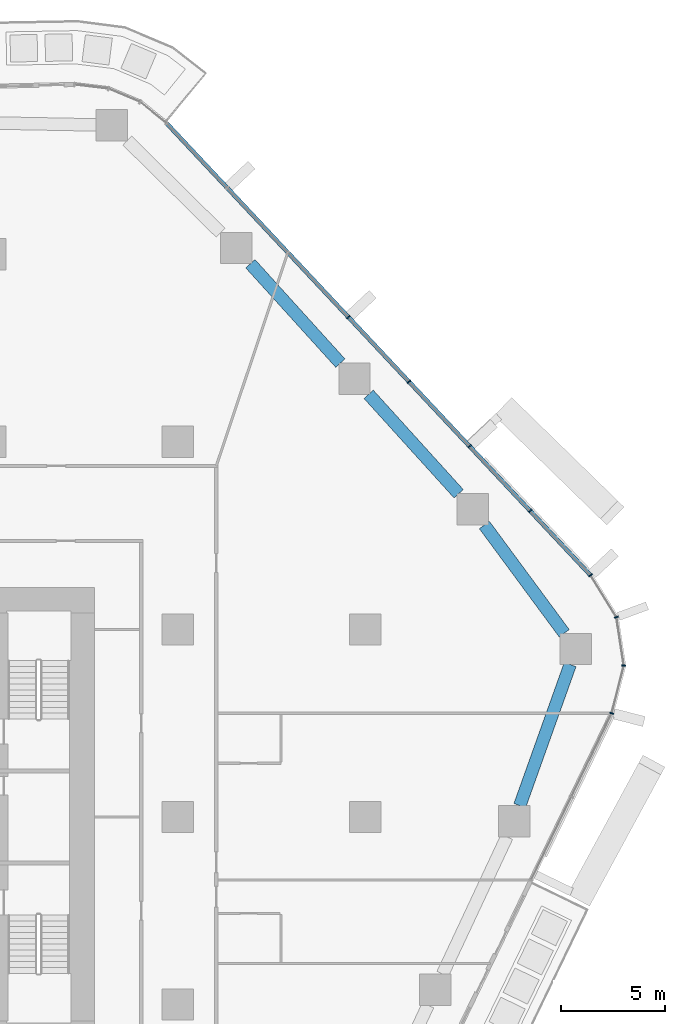
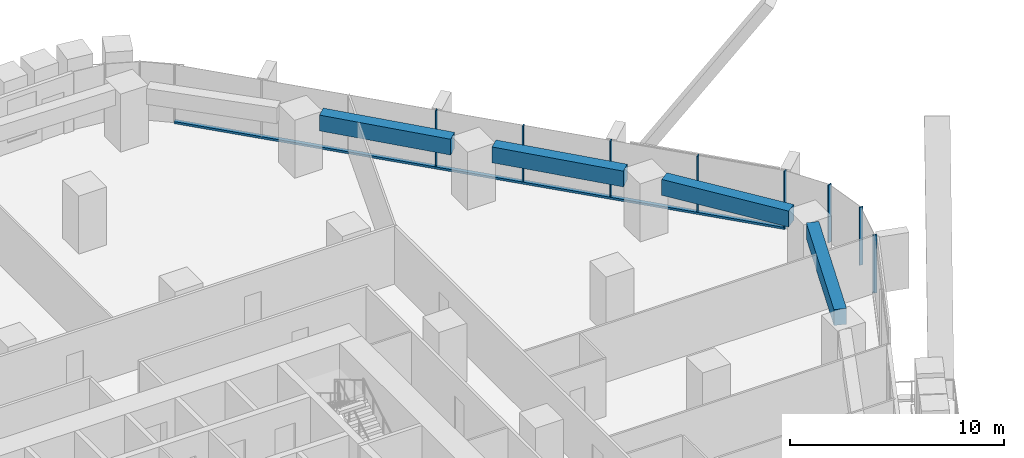
# One storey, part 7 of 24: 9 members, 4 beams, 2 elements without a shape of their own.
"""IFC4 building model written with IfcOpenShell, lengths in metres."""

from ifc_helpers import new_model, si_unit, direction, frame, origin, origin_2d, place, context, subcontext, project, spatial, rectangle, extrude, material, layer, layer_set, material_profile, profile_set, type_object, element, aggregate, save


model = new_model("IFC4")

# Units and contexts
model_context = context("Model", 3, precision=1e-05, world=origin(), true_north=direction((0.0, 1.0)))
body_context = subcontext(model_context, "Body", "Model", "MODEL_VIEW")
ifc_project = project(units=[si_unit("LENGTHUNIT", "METRE"), si_unit("AREAUNIT", "SQUARE_METRE"), si_unit("VOLUMEUNIT", "CUBIC_METRE"), si_unit("PLANEANGLEUNIT", "RADIAN"), si_unit("MASSUNIT", "GRAM", prefix="KILO")], contexts=[model_context])

# Site, building, storey
site_placement = place(None, origin())
site = spatial("IfcSite", under=ifc_project, at=site_placement, CompositionType="ELEMENT")
building_placement = place(site_placement, origin())
building = spatial("IfcBuilding", under=site, at=building_placement, Name="Dongbaek Canopy Tower", CompositionType="ELEMENT")
storey_placement = place(building_placement, frame((0.0, 0.0, 51.39990234375)))
storey = spatial("IfcBuildingStorey", under=building, at=storey_placement, Name="L08", CompositionType="ELEMENT", Elevation=51.39990234375)

# Curtain wall, members
ifc_material_1 = material(Name="Aluminium 6063-T6 pale anodised", Category="aluminium")
ifc_layer = layer(ifc_material_1, 0.199951171875)
ifc_layer_set = layer_set([ifc_layer], Name="CW-1 unitised tower curtain wall")
curtain_wall_type = type_object("IfcCurtainWallType", Name="CW-1 unitised tower curtain wall", PredefinedType="NOTDEFINED", material=ifc_layer_set)
curtain_wall_1_placement = place(storey_placement, origin())
curtain_wall_1 = element("IfcCurtainWall", 1, at=curtain_wall_1_placement, inside=storey, type_object=curtain_wall_type, Name="CW-1 curtain wall K0.1", PredefinedType="NOTDEFINED")
ifc_material_2 = material(Name="Aluminium 6063-T6 pale anodised", Category="aluminium")
ifc_material_profile_1 = material_profile(ifc_material_2, rectangle(XDim=0.199951171875, YDim=0.06005859375, at=origin_2d()), Name="CW-1 mullion 60 x 200")
ifc_profile_set_1 = profile_set([ifc_material_profile_1], Name="Aluminium 6063-T6 pale anodised")
member_type_1 = type_object("IfcMemberType", Name="CW-1 mullion 60 x 200", PredefinedType="MULLION", material=ifc_profile_set_1)
member_1_placement = place(storey_placement, frame((38.8212890625, 4.977294921875, 0.0), z_axis=(0.0, 0.0, 1.0), x_axis=(0.968988452796, -0.247106006298, 0.0)))
member_1 = element("IfcMember", 2, at=member_1_placement, type_object=member_type_1, Name="CW-1 mullion K0.1.1", PredefinedType="MULLION", context=body_context, shape_type="SweptSolid", body=[
    extrude(rectangle(XDim=0.199951171875, YDim=0.06005859375, at=origin_2d()), origin(), (0.0, 0.0, 1.0), 3.300048828125),
])
member_2_placement = place(storey_placement, frame((39.40478515625, 7.264892578125, 0.0), z_axis=(0.0, 0.0, 1.0), x_axis=(0.998796081785, -0.049054938691, 0.0)))
member_2 = element("IfcMember", 3, at=member_2_placement, type_object=member_type_1, Name="CW-1 mullion K0.1.2", PredefinedType="MULLION", context=body_context, shape_type="SweptSolid", body=[
    extrude(rectangle(XDim=0.199951171875, YDim=0.06005859375, at=origin_2d()), origin(), (0.0, 0.0, 1.0), 3.300048828125),
])
member_3_placement = place(storey_placement, frame((39.050048828125, 9.588623046875, 0.0), z_axis=(0.0, 0.0, 1.0), x_axis=(0.938629484797, 0.344927079641, 0.0)))
member_3 = element("IfcMember", 4, at=member_3_placement, type_object=member_type_1, Name="CW-1 mullion K0.1.3", PredefinedType="MULLION", context=body_context, shape_type="SweptSolid", body=[
    extrude(rectangle(XDim=0.199951171875, YDim=0.06005859375, at=origin_2d()), origin(), (0.0, 0.0, 1.0), 3.300048828125),
])
member_4_placement = place(storey_placement, frame((37.810302734375, 11.597900390625, 0.0), z_axis=(0.0, 0.0, 1.0), x_axis=(0.851068704679, 0.525054339964, 0.0)))
member_4 = element("IfcMember", 5, at=member_4_placement, type_object=member_type_1, Name="CW-1 mullion K0.1.4", PredefinedType="MULLION", context=body_context, shape_type="SweptSolid", body=[
    extrude(rectangle(XDim=0.199951171875, YDim=0.06005859375, at=origin_2d()), origin(), (0.0, 0.0, 1.0), 3.300048828125),
])
aggregate(curtain_wall_1, [member_1, member_2, member_3, member_4])

curtain_wall_2_placement = place(storey_placement, origin())
curtain_wall_2 = element("IfcCurtainWall", 6, at=curtain_wall_2_placement, inside=storey, type_object=curtain_wall_type, Name="CW-1 curtain wall F0.1", PredefinedType="NOTDEFINED")
member_5_placement = place(storey_placement, frame((34.910400390625, 14.689453125, 0.1201171875), z_axis=(0.0, 0.0, 1.0), x_axis=(0.729369243815, 0.684120242484, 0.0)))
member_5 = element("IfcMember", 7, at=member_5_placement, type_object=member_type_1, Name="CW-1 mullion F0.1.2", PredefinedType="MULLION", context=body_context, shape_type="SweptSolid", body=[
    extrude(rectangle(XDim=0.199951171875, YDim=0.06005859375, at=origin_2d()), origin(), (0.0, 0.0, 1.0), 3.179931640625),
])
member_6_placement = place(storey_placement, frame((32.003662109375, 17.78857421875, 0.1201171875), z_axis=(0.0, 0.0, 1.0), x_axis=(0.729369243815, 0.684120242484, 0.0)))
member_6 = element("IfcMember", 8, at=member_6_placement, type_object=member_type_1, Name="CW-1 mullion F0.1.3", PredefinedType="MULLION", context=body_context, shape_type="SweptSolid", body=[
    extrude(rectangle(XDim=0.199951171875, YDim=0.06005859375, at=origin_2d()), origin(), (0.0, 0.0, 1.0), 3.179931640625),
])
member_7_placement = place(storey_placement, frame((29.096923828125, 20.8876953125, 0.1201171875), z_axis=(0.0, 0.0, 1.0), x_axis=(0.729369243815, 0.684120242484, 0.0)))
member_7 = element("IfcMember", 9, at=member_7_placement, type_object=member_type_1, Name="CW-1 mullion F0.1.4", PredefinedType="MULLION", context=body_context, shape_type="SweptSolid", body=[
    extrude(rectangle(XDim=0.199951171875, YDim=0.06005859375, at=origin_2d()), origin(), (0.0, 0.0, 1.0), 3.179931640625),
])
member_8_placement = place(storey_placement, frame((26.190185546875, 23.986572265625, 0.1201171875), z_axis=(0.0, 0.0, 1.0), x_axis=(0.729369243815, 0.684120242484, 0.0)))
member_8 = element("IfcMember", 10, at=member_8_placement, type_object=member_type_1, Name="CW-1 mullion F0.1.5", PredefinedType="MULLION", context=body_context, shape_type="SweptSolid", body=[
    extrude(rectangle(XDim=0.199951171875, YDim=0.06005859375, at=origin_2d()), origin(), (0.0, 0.0, 1.0), 3.179931640625),
])
ifc_material_3 = material(Name="Aluminium 6063-T6 pale anodised", Category="aluminium")
ifc_material_profile_2 = material_profile(ifc_material_3, rectangle(XDim=0.199951171875, YDim=0.1201171875, at=origin_2d()), Name="CW-1 transom 120 x 200")
ifc_profile_set_2 = profile_set([ifc_material_profile_2], Name="Aluminium 6063-T6 pale anodised")
member_type_2 = type_object("IfcMemberType", Name="CW-1 transom 120 x 200", PredefinedType="USERDEFINED", material=ifc_profile_set_2)
member_9_placement = place(storey_placement, frame((37.810302734375, 11.597900390625, 0.06005859375), z_axis=(-0.684121423507, 0.72936813606, 0.0), x_axis=(-0.72936813606, -0.684121423507, 0.0)))
member_9 = element("IfcMember", 11, at=member_9_placement, type_object=member_type_2, Name="CW-1 transom F0.1.1", ObjectType="TRANSOM", PredefinedType="USERDEFINED", context=body_context, shape_type="SweptSolid", body=[
    extrude(rectangle(XDim=0.199951171875, YDim=0.1201171875, at=origin_2d()), origin(), (0.0, 0.0, 1.0), 29.725341796875),
])
aggregate(curtain_wall_2, [member_5, member_6, member_7, member_8, member_9])

# Beams
ifc_material_4 = material(Name="Concrete C80", Category="concrete")
ifc_material_profile_3 = material_profile(ifc_material_4, rectangle(XDim=0.60009765625, YDim=0.89990234375, at=origin_2d()), Name="RC EDGE BEAM 600x900 C80")
ifc_profile_set_3 = profile_set([ifc_material_profile_3], Name="Concrete C80")
beam_type = type_object("IfcBeamType", Name="RC EDGE BEAM 600x900 C80", PredefinedType="BEAM", material=ifc_profile_set_3)
beam_1_placement = place(storey_placement, frame((21.484375, 26.547119140625, 2.85009765625), z_axis=(0.671288874095, -0.741195822652, 0.0), x_axis=(0.741195822652, 0.671288874095, 0.0)))
element("IfcBeam", 12, at=beam_1_placement, inside=storey, type_object=beam_type, Name="EDGEBEAM:L08:18", PredefinedType="BEAM", context=body_context, shape_type="SweptSolid", body=[
    extrude(rectangle(XDim=0.60009765625, YDim=0.89990234375, at=origin_2d()), origin(), (0.0, 0.0, 1.0), 6.432861328125),
])
beam_2_placement = place(storey_placement, frame((27.1611328125, 20.279052734375, 2.85009765625), z_axis=(0.671226318279, -0.741252473621, 0.0), x_axis=(0.741252473621, 0.671226318279, 0.0)))
element("IfcBeam", 13, at=beam_2_placement, inside=storey, type_object=beam_type, Name="EDGEBEAM:L08:19", PredefinedType="BEAM", context=body_context, shape_type="SweptSolid", body=[
    extrude(rectangle(XDim=0.60009765625, YDim=0.89990234375, at=origin_2d()), origin(), (0.0, 0.0, 1.0), 6.432373046875),
])
beam_3_placement = place(storey_placement, frame((32.71142578125, 14.010986328125, 2.85009765625), z_axis=(0.593731643304, -0.804663119411, 0.0), x_axis=(0.804663119411, 0.593731643304, 0.0)))
element("IfcBeam", 14, at=beam_3_placement, inside=storey, type_object=beam_type, Name="EDGEBEAM:L08:20", PredefinedType="BEAM", context=body_context, shape_type="SweptSolid", body=[
    extrude(rectangle(XDim=0.60009765625, YDim=0.89990234375, at=origin_2d()), origin(), (0.0, 0.0, 1.0), 6.456298828125),
])
beam_4_placement = place(storey_placement, frame((36.830078125, 7.31591796875, 2.85009765625), z_axis=(-0.336456848831, -0.941698884397, 0.0), x_axis=(0.941698884397, -0.336456848831, 0.0)))
element("IfcBeam", 15, at=beam_4_placement, inside=storey, type_object=beam_type, Name="EDGEBEAM:L08:21", PredefinedType="BEAM", context=body_context, shape_type="SweptSolid", body=[
    extrude(rectangle(XDim=0.60009765625, YDim=0.89990234375, at=origin_2d()), origin(), (0.0, 0.0, 1.0), 7.190185546875),
])

save(model, "model.ifc")
